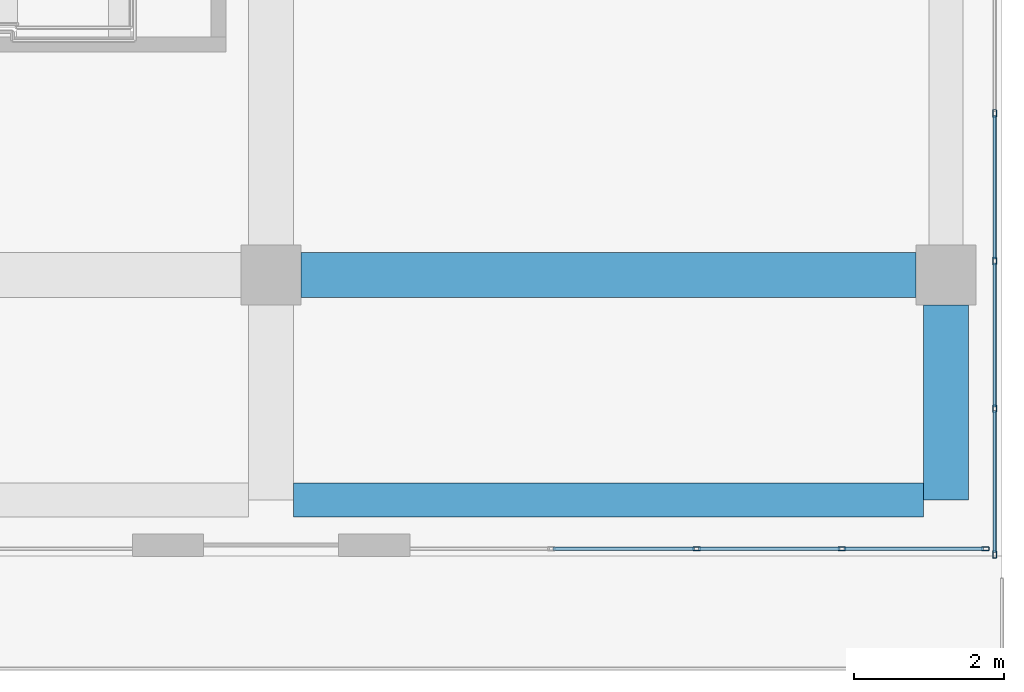
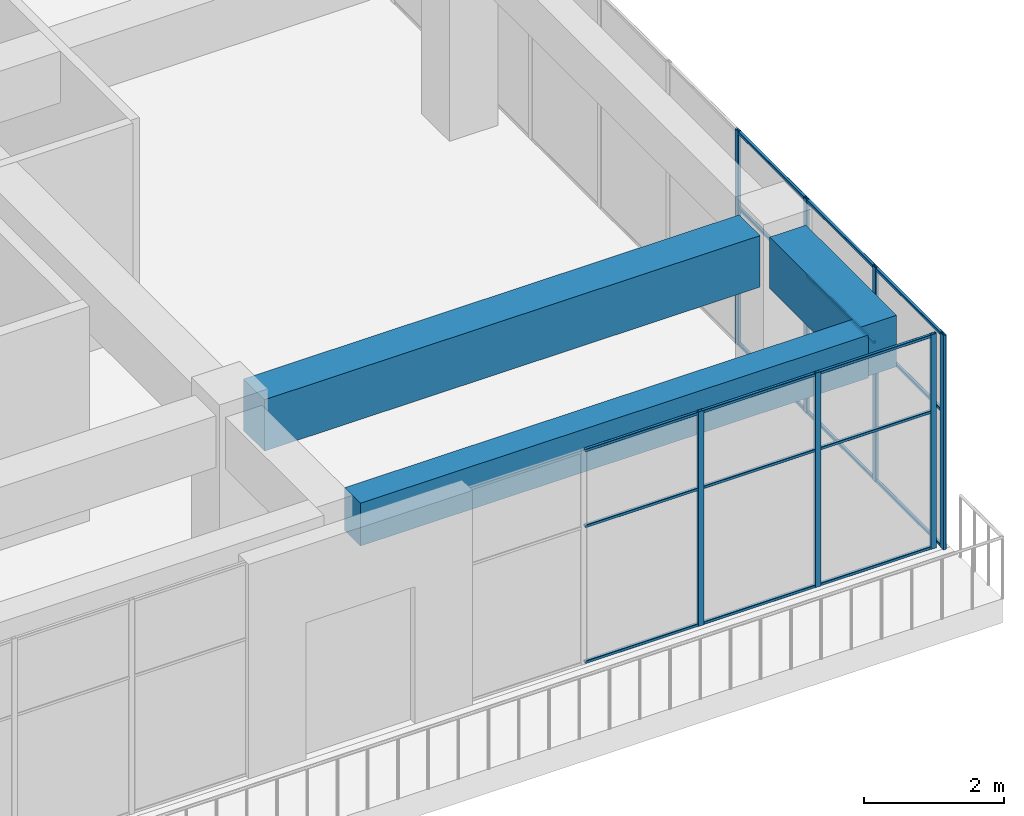
# One storey, part 53 of 81: 25 members, 3 beams, 2 elements without a shape of their own.
"""IFC4 building model written with IfcOpenShell, lengths in metres."""

from ifc_helpers import new_model, si_unit, direction, frame, origin, origin_2d, place, context, subcontext, project, spatial, rectangle, hollow_rectangle, extrude, material, layer, layer_set, material_profile, profile_set, type_object, element, aggregate, save


model = new_model("IFC4")

# Units and contexts
model_context = context("Model", 3, precision=1e-05, world=origin(), true_north=direction((0.0, 1.0)))
body_context = subcontext(model_context, "Body", "Model", "MODEL_VIEW")
ifc_project = project(units=[si_unit("LENGTHUNIT", "METRE"), si_unit("AREAUNIT", "SQUARE_METRE"), si_unit("VOLUMEUNIT", "CUBIC_METRE"), si_unit("PLANEANGLEUNIT", "RADIAN"), si_unit("MASSUNIT", "GRAM", prefix="KILO")], contexts=[model_context])

# Site, building, storey
site_placement = place(None, origin())
site = spatial("IfcSite", under=ifc_project, at=site_placement, CompositionType="ELEMENT")
building_placement = place(site_placement, origin())
building = spatial("IfcBuilding", under=site, at=building_placement, Name="Tuart Plaza Theatre", CompositionType="ELEMENT")
storey_placement = place(building_placement, frame((0.0, 0.0, 17.5)))
storey = spatial("IfcBuildingStorey", under=building, at=storey_placement, Name="L04", CompositionType="ELEMENT", Elevation=17.5)

# Beams
ifc_material_1 = material(Name="Concrete N40 (40 MPa)", Category="concrete")
ifc_material_profile_1 = material_profile(ifc_material_1, rectangle(XDim=0.449951171875, YDim=0.75, at=origin_2d()), Name="BEAM 450x750 Concrete N40 (40 MPa)")
ifc_profile_set_1 = profile_set([ifc_material_profile_1], Name="Concrete N40 (40 MPa)")
beam_type_1 = type_object("IfcBeamType", Name="BEAM 450x750 Concrete N40 (40 MPa)", PredefinedType="BEAM", material=ifc_profile_set_1)
beam_1_placement = place(storey_placement, frame((141.300048828125, 53.0, 3.375), z_axis=(1.0, 0.0, 0.0), x_axis=(0.0, 1.0, 0.0)))
element("IfcBeam", 1, at=beam_1_placement, inside=storey, type_object=beam_type_1, Name="RB229", PredefinedType="BEAM", context=body_context, shape_type="SweptSolid", body=[
    extrude(rectangle(XDim=0.449951171875, YDim=0.75, at=origin_2d()), origin(), (0.0, 0.0, 1.0), 8.39990234375),
])
ifc_material_2 = material(Name="Concrete N40 (40 MPa)", Category="concrete")
ifc_material_profile_2 = material_profile(ifc_material_2, rectangle(XDim=0.60009765625, YDim=0.89990234375, at=origin_2d()), Name="BEAM 600x900 Concrete N40 (40 MPa)")
ifc_profile_set_2 = profile_set([ifc_material_profile_2], Name="Concrete N40 (40 MPa)")
beam_type_2 = type_object("IfcBeamType", Name="BEAM 600x900 Concrete N40 (40 MPa)", PredefinedType="BEAM", material=ifc_profile_set_2)
beam_2_placement = place(storey_placement, frame((141.39990234375, 56.0, 3.300048828125), z_axis=(1.0, 0.0, 0.0), x_axis=(0.0, 1.0, 0.0)))
element("IfcBeam", 2, at=beam_2_placement, inside=storey, type_object=beam_type_2, Name="RB231", PredefinedType="BEAM", context=body_context, shape_type="SweptSolid", body=[
    extrude(rectangle(XDim=0.60009765625, YDim=0.89990234375, at=origin_2d()), origin(), (0.0, 0.0, 1.0), 8.2001953125),
])
beam_3_placement = place(storey_placement, frame((150.0, 53.0, 3.300048828125), z_axis=(0.0, 1.0, 0.0), x_axis=(-1.0, 0.0, 0.0)))
element("IfcBeam", 3, at=beam_3_placement, inside=storey, type_object=beam_type_2, Name="RB237", PredefinedType="BEAM", context=body_context, shape_type="SweptSolid", body=[
    extrude(rectangle(XDim=0.60009765625, YDim=0.89990234375, at=origin_2d()), origin(), (0.0, 0.0, 1.0), 2.60009765625),
])

# Curtain wall, members
ifc_material_3 = material(Name="Aluminium and glass", Category="aluminium")
ifc_layer = layer(ifc_material_3, 0.10009765625)
ifc_layer_set = layer_set([ifc_layer], Name="CURTAIN WALL 2000 module")
curtain_wall_type = type_object("IfcCurtainWallType", Name="CURTAIN WALL 2000 module", PredefinedType="NOTDEFINED", material=ifc_layer_set)
curtain_wall_1_placement = place(storey_placement, origin())
curtain_wall_1 = element("IfcCurtainWall", 4, at=curtain_wall_1_placement, inside=storey, type_object=curtain_wall_type, Name="CW77", PredefinedType="NOTDEFINED")
ifc_material_4 = material(Name="Aluminium 6063-T5", Category="aluminium")
ifc_material_profile_3 = material_profile(ifc_material_4, hollow_rectangle(XDim=0.050048828125, YDim=0.10009765625, WallThickness=0.00390625, InnerFilletRadius=0.00390625, OuterFilletRadius=0.008056640625, at=origin_2d()), Name="RHS 100x50x4")
ifc_profile_set_3 = profile_set([ifc_material_profile_3], Name="Aluminium 6063-T5")
member_type_1 = type_object("IfcMemberType", Name="MULLION RHS 100x50x4", PredefinedType="MULLION", material=ifc_profile_set_3)
member_1_placement = place(storey_placement, frame((146.675048828125, 52.35009765625, 0.0), z_axis=(0.0, 0.0, 1.0), x_axis=(0.0, 1.0, 0.0)))
member_1 = element("IfcMember", 5, at=member_1_placement, type_object=member_type_1, Name="CW77 mullion 3", PredefinedType="MULLION", context=body_context, shape_type="SweptSolid", body=[
    extrude(hollow_rectangle(XDim=0.050048828125, YDim=0.10009765625, WallThickness=0.00390625, InnerFilletRadius=0.00390625, OuterFilletRadius=0.008056640625, at=origin_2d()), origin(), (0.0, 0.0, 1.0), 3.75),
])
member_2_placement = place(storey_placement, frame((148.612548828125, 52.35009765625, 0.0), z_axis=(0.0, 0.0, 1.0), x_axis=(0.0, 1.0, 0.0)))
member_2 = element("IfcMember", 6, at=member_2_placement, type_object=member_type_1, Name="CW77 mullion 4", PredefinedType="MULLION", context=body_context, shape_type="SweptSolid", body=[
    extrude(hollow_rectangle(XDim=0.050048828125, YDim=0.10009765625, WallThickness=0.00390625, InnerFilletRadius=0.00390625, OuterFilletRadius=0.008056640625, at=origin_2d()), origin(), (0.0, 0.0, 1.0), 3.75),
])
member_3_placement = place(storey_placement, frame((150.52490234375, 52.35009765625, 0.0), z_axis=(0.0, 0.0, 1.0), x_axis=(0.0, 1.0, 0.0)))
member_3 = element("IfcMember", 7, at=member_3_placement, type_object=member_type_1, Name="CW77 mullion 5", PredefinedType="MULLION", context=body_context, shape_type="SweptSolid", body=[
    extrude(hollow_rectangle(XDim=0.050048828125, YDim=0.10009765625, WallThickness=0.00390625, InnerFilletRadius=0.00390625, OuterFilletRadius=0.008056640625, at=origin_2d()), origin(), (0.0, 0.0, 1.0), 3.75),
])

curtain_wall_2_placement = place(storey_placement, origin())
curtain_wall_2 = element("IfcCurtainWall", 8, at=curtain_wall_2_placement, inside=storey, type_object=curtain_wall_type, Name="CW78", PredefinedType="NOTDEFINED")
member_4_placement = place(storey_placement, frame((150.64990234375, 52.27490234375, 0.0), z_axis=(0.0, 0.0, 1.0), x_axis=(-1.0, 0.0, 0.0)))
member_4 = element("IfcMember", 9, at=member_4_placement, type_object=member_type_1, Name="CW78 mullion 1", PredefinedType="MULLION", context=body_context, shape_type="SweptSolid", body=[
    extrude(hollow_rectangle(XDim=0.050048828125, YDim=0.10009765625, WallThickness=0.00390625, InnerFilletRadius=0.00390625, OuterFilletRadius=0.008056640625, at=origin_2d()), origin(), (0.0, 0.0, 1.0), 3.75),
])
member_5_placement = place(storey_placement, frame((150.64990234375, 54.21875, 0.0), z_axis=(0.0, 0.0, 1.0), x_axis=(-1.0, 0.0, 0.0)))
member_5 = element("IfcMember", 10, at=member_5_placement, type_object=member_type_1, Name="CW78 mullion 2", PredefinedType="MULLION", context=body_context, shape_type="SweptSolid", body=[
    extrude(hollow_rectangle(XDim=0.050048828125, YDim=0.10009765625, WallThickness=0.00390625, InnerFilletRadius=0.00390625, OuterFilletRadius=0.008056640625, at=origin_2d()), origin(), (0.0, 0.0, 1.0), 3.75),
])
member_6_placement = place(storey_placement, frame((150.64990234375, 56.1875, 0.0), z_axis=(0.0, 0.0, 1.0), x_axis=(-1.0, 0.0, 0.0)))
member_6 = element("IfcMember", 11, at=member_6_placement, type_object=member_type_1, Name="CW78 mullion 3", PredefinedType="MULLION", context=body_context, shape_type="SweptSolid", body=[
    extrude(hollow_rectangle(XDim=0.050048828125, YDim=0.10009765625, WallThickness=0.00390625, InnerFilletRadius=0.00390625, OuterFilletRadius=0.008056640625, at=origin_2d()), origin(), (0.0, 0.0, 1.0), 3.75),
])
member_7_placement = place(storey_placement, frame((150.64990234375, 58.15625, 0.0), z_axis=(0.0, 0.0, 1.0), x_axis=(-1.0, 0.0, 0.0)))
member_7 = element("IfcMember", 12, at=member_7_placement, type_object=member_type_1, Name="CW78 mullion 4", PredefinedType="MULLION", context=body_context, shape_type="SweptSolid", body=[
    extrude(hollow_rectangle(XDim=0.050048828125, YDim=0.10009765625, WallThickness=0.00390625, InnerFilletRadius=0.00390625, OuterFilletRadius=0.008056640625, at=origin_2d()), origin(), (0.0, 0.0, 1.0), 3.75),
])

# Member
ifc_material_5 = material(Name="Aluminium 6063-T5", Category="aluminium")
ifc_material_profile_4 = material_profile(ifc_material_5, hollow_rectangle(XDim=0.050048828125, YDim=0.050048828125, WallThickness=0.00390625, InnerFilletRadius=0.00390625, OuterFilletRadius=0.008056640625, at=origin_2d()), Name="RHS 50x50x4")
ifc_profile_set_4 = profile_set([ifc_material_profile_4], Name="Aluminium 6063-T5")
member_type_2 = type_object("IfcMemberType", Name="TRANSOM RHS 50x50x4", PredefinedType="USERDEFINED", material=ifc_profile_set_4)
member_8_placement = place(storey_placement, frame((144.762451171875, 52.35009765625, 0.02490234375), z_axis=(1.0, 0.0, 0.0), x_axis=(0.0, 1.0, 0.0)))
member_8 = element("IfcMember", 13, at=member_8_placement, type_object=member_type_2, Name="CW77 transom 2.1", ObjectType="TRANSOM", PredefinedType="USERDEFINED", context=body_context, shape_type="SweptSolid", body=[
    extrude(hollow_rectangle(XDim=0.050048828125, YDim=0.050048828125, WallThickness=0.00390625, InnerFilletRadius=0.00390625, OuterFilletRadius=0.008056640625, at=origin_2d()), origin(), (0.0, 0.0, 1.0), 1.887451171875),
])

member_9_placement = place(storey_placement, frame((144.762451171875, 52.35009765625, 2.39990234375), z_axis=(1.0, 0.0, 0.0), x_axis=(0.0, 1.0, 0.0)))
member_9 = element("IfcMember", 14, at=member_9_placement, type_object=member_type_2, Name="CW77 transom 2.2", ObjectType="TRANSOM", PredefinedType="USERDEFINED", context=body_context, shape_type="SweptSolid", body=[
    extrude(hollow_rectangle(XDim=0.050048828125, YDim=0.050048828125, WallThickness=0.00390625, InnerFilletRadius=0.00390625, OuterFilletRadius=0.008056640625, at=origin_2d()), origin(), (0.0, 0.0, 1.0), 1.887451171875),
])

member_10_placement = place(storey_placement, frame((144.762451171875, 52.35009765625, 3.72509765625), z_axis=(1.0, 0.0, 0.0), x_axis=(0.0, 1.0, 0.0)))
member_10 = element("IfcMember", 15, at=member_10_placement, type_object=member_type_2, Name="CW77 transom 2.3", ObjectType="TRANSOM", PredefinedType="USERDEFINED", context=body_context, shape_type="SweptSolid", body=[
    extrude(hollow_rectangle(XDim=0.050048828125, YDim=0.050048828125, WallThickness=0.00390625, InnerFilletRadius=0.00390625, OuterFilletRadius=0.008056640625, at=origin_2d()), origin(), (0.0, 0.0, 1.0), 1.887451171875),
])

member_11_placement = place(storey_placement, frame((146.699951171875, 52.35009765625, 0.02490234375), z_axis=(1.0, 0.0, 0.0), x_axis=(0.0, 1.0, 0.0)))
member_11 = element("IfcMember", 16, at=member_11_placement, type_object=member_type_2, Name="CW77 transom 3.1", ObjectType="TRANSOM", PredefinedType="USERDEFINED", context=body_context, shape_type="SweptSolid", body=[
    extrude(hollow_rectangle(XDim=0.050048828125, YDim=0.050048828125, WallThickness=0.00390625, InnerFilletRadius=0.00390625, OuterFilletRadius=0.008056640625, at=origin_2d()), origin(), (0.0, 0.0, 1.0), 1.887451171875),
])

member_12_placement = place(storey_placement, frame((146.699951171875, 52.35009765625, 2.39990234375), z_axis=(1.0, 0.0, 0.0), x_axis=(0.0, 1.0, 0.0)))
member_12 = element("IfcMember", 17, at=member_12_placement, type_object=member_type_2, Name="CW77 transom 3.2", ObjectType="TRANSOM", PredefinedType="USERDEFINED", context=body_context, shape_type="SweptSolid", body=[
    extrude(hollow_rectangle(XDim=0.050048828125, YDim=0.050048828125, WallThickness=0.00390625, InnerFilletRadius=0.00390625, OuterFilletRadius=0.008056640625, at=origin_2d()), origin(), (0.0, 0.0, 1.0), 1.887451171875),
])

member_13_placement = place(storey_placement, frame((146.699951171875, 52.35009765625, 3.72509765625), z_axis=(1.0, 0.0, 0.0), x_axis=(0.0, 1.0, 0.0)))
member_13 = element("IfcMember", 18, at=member_13_placement, type_object=member_type_2, Name="CW77 transom 3.3", ObjectType="TRANSOM", PredefinedType="USERDEFINED", context=body_context, shape_type="SweptSolid", body=[
    extrude(hollow_rectangle(XDim=0.050048828125, YDim=0.050048828125, WallThickness=0.00390625, InnerFilletRadius=0.00390625, OuterFilletRadius=0.008056640625, at=origin_2d()), origin(), (0.0, 0.0, 1.0), 1.887451171875),
])

member_14_placement = place(storey_placement, frame((148.637451171875, 52.35009765625, 0.02490234375), z_axis=(1.0, 0.0, 0.0), x_axis=(0.0, 1.0, 0.0)))
member_14 = element("IfcMember", 19, at=member_14_placement, type_object=member_type_2, Name="CW77 transom 4.1", ObjectType="TRANSOM", PredefinedType="USERDEFINED", context=body_context, shape_type="SweptSolid", body=[
    extrude(hollow_rectangle(XDim=0.050048828125, YDim=0.050048828125, WallThickness=0.00390625, InnerFilletRadius=0.00390625, OuterFilletRadius=0.008056640625, at=origin_2d()), origin(), (0.0, 0.0, 1.0), 1.862548828125),
])

member_15_placement = place(storey_placement, frame((148.637451171875, 52.35009765625, 2.39990234375), z_axis=(1.0, 0.0, 0.0), x_axis=(0.0, 1.0, 0.0)))
member_15 = element("IfcMember", 20, at=member_15_placement, type_object=member_type_2, Name="CW77 transom 4.2", ObjectType="TRANSOM", PredefinedType="USERDEFINED", context=body_context, shape_type="SweptSolid", body=[
    extrude(hollow_rectangle(XDim=0.050048828125, YDim=0.050048828125, WallThickness=0.00390625, InnerFilletRadius=0.00390625, OuterFilletRadius=0.008056640625, at=origin_2d()), origin(), (0.0, 0.0, 1.0), 1.862548828125),
])

member_16_placement = place(storey_placement, frame((148.637451171875, 52.35009765625, 3.72509765625), z_axis=(1.0, 0.0, 0.0), x_axis=(0.0, 1.0, 0.0)))
member_16 = element("IfcMember", 21, at=member_16_placement, type_object=member_type_2, Name="CW77 transom 4.3", ObjectType="TRANSOM", PredefinedType="USERDEFINED", context=body_context, shape_type="SweptSolid", body=[
    extrude(hollow_rectangle(XDim=0.050048828125, YDim=0.050048828125, WallThickness=0.00390625, InnerFilletRadius=0.00390625, OuterFilletRadius=0.008056640625, at=origin_2d()), origin(), (0.0, 0.0, 1.0), 1.862548828125),
])

aggregate(curtain_wall_1, [member_1, member_2, member_3, member_8, member_9, member_10, member_11, member_12, member_13, member_14, member_15, member_16])

member_17_placement = place(storey_placement, frame((150.64990234375, 52.300048828125, 0.02490234375), z_axis=(0.0, 1.0, 0.0), x_axis=(-1.0, 0.0, 0.0)))
member_17 = element("IfcMember", 22, at=member_17_placement, type_object=member_type_2, Name="CW78 transom 1.1", ObjectType="TRANSOM", PredefinedType="USERDEFINED", context=body_context, shape_type="SweptSolid", body=[
    extrude(hollow_rectangle(XDim=0.050048828125, YDim=0.050048828125, WallThickness=0.00390625, InnerFilletRadius=0.00390625, OuterFilletRadius=0.008056640625, at=origin_2d()), origin(), (0.0, 0.0, 1.0), 1.893798828125),
])

member_18_placement = place(storey_placement, frame((150.64990234375, 52.300048828125, 2.39990234375), z_axis=(0.0, 1.0, 0.0), x_axis=(-1.0, 0.0, 0.0)))
member_18 = element("IfcMember", 23, at=member_18_placement, type_object=member_type_2, Name="CW78 transom 1.2", ObjectType="TRANSOM", PredefinedType="USERDEFINED", context=body_context, shape_type="SweptSolid", body=[
    extrude(hollow_rectangle(XDim=0.050048828125, YDim=0.050048828125, WallThickness=0.00390625, InnerFilletRadius=0.00390625, OuterFilletRadius=0.008056640625, at=origin_2d()), origin(), (0.0, 0.0, 1.0), 1.893798828125),
])

member_19_placement = place(storey_placement, frame((150.64990234375, 52.300048828125, 3.72509765625), z_axis=(0.0, 1.0, 0.0), x_axis=(-1.0, 0.0, 0.0)))
member_19 = element("IfcMember", 24, at=member_19_placement, type_object=member_type_2, Name="CW78 transom 1.3", ObjectType="TRANSOM", PredefinedType="USERDEFINED", context=body_context, shape_type="SweptSolid", body=[
    extrude(hollow_rectangle(XDim=0.050048828125, YDim=0.050048828125, WallThickness=0.00390625, InnerFilletRadius=0.00390625, OuterFilletRadius=0.008056640625, at=origin_2d()), origin(), (0.0, 0.0, 1.0), 1.893798828125),
])

member_20_placement = place(storey_placement, frame((150.64990234375, 54.24365234375, 0.02490234375), z_axis=(0.0, 1.0, 0.0), x_axis=(-1.0, 0.0, 0.0)))
member_20 = element("IfcMember", 25, at=member_20_placement, type_object=member_type_2, Name="CW78 transom 2.1", ObjectType="TRANSOM", PredefinedType="USERDEFINED", context=body_context, shape_type="SweptSolid", body=[
    extrude(hollow_rectangle(XDim=0.050048828125, YDim=0.050048828125, WallThickness=0.00390625, InnerFilletRadius=0.00390625, OuterFilletRadius=0.008056640625, at=origin_2d()), origin(), (0.0, 0.0, 1.0), 1.9189453125),
])

member_21_placement = place(storey_placement, frame((150.64990234375, 54.24365234375, 2.39990234375), z_axis=(0.0, 1.0, 0.0), x_axis=(-1.0, 0.0, 0.0)))
member_21 = element("IfcMember", 26, at=member_21_placement, type_object=member_type_2, Name="CW78 transom 2.2", ObjectType="TRANSOM", PredefinedType="USERDEFINED", context=body_context, shape_type="SweptSolid", body=[
    extrude(hollow_rectangle(XDim=0.050048828125, YDim=0.050048828125, WallThickness=0.00390625, InnerFilletRadius=0.00390625, OuterFilletRadius=0.008056640625, at=origin_2d()), origin(), (0.0, 0.0, 1.0), 1.9189453125),
])

member_22_placement = place(storey_placement, frame((150.64990234375, 54.24365234375, 3.72509765625), z_axis=(0.0, 1.0, 0.0), x_axis=(-1.0, 0.0, 0.0)))
member_22 = element("IfcMember", 27, at=member_22_placement, type_object=member_type_2, Name="CW78 transom 2.3", ObjectType="TRANSOM", PredefinedType="USERDEFINED", context=body_context, shape_type="SweptSolid", body=[
    extrude(hollow_rectangle(XDim=0.050048828125, YDim=0.050048828125, WallThickness=0.00390625, InnerFilletRadius=0.00390625, OuterFilletRadius=0.008056640625, at=origin_2d()), origin(), (0.0, 0.0, 1.0), 1.9189453125),
])

member_23_placement = place(storey_placement, frame((150.64990234375, 56.21240234375, 0.02490234375), z_axis=(0.0, 1.0, 0.0), x_axis=(-1.0, 0.0, 0.0)))
member_23 = element("IfcMember", 28, at=member_23_placement, type_object=member_type_2, Name="CW78 transom 3.1", ObjectType="TRANSOM", PredefinedType="USERDEFINED", context=body_context, shape_type="SweptSolid", body=[
    extrude(hollow_rectangle(XDim=0.050048828125, YDim=0.050048828125, WallThickness=0.00390625, InnerFilletRadius=0.00390625, OuterFilletRadius=0.008056640625, at=origin_2d()), origin(), (0.0, 0.0, 1.0), 1.9189453125),
])

member_24_placement = place(storey_placement, frame((150.64990234375, 56.21240234375, 2.39990234375), z_axis=(0.0, 1.0, 0.0), x_axis=(-1.0, 0.0, 0.0)))
member_24 = element("IfcMember", 29, at=member_24_placement, type_object=member_type_2, Name="CW78 transom 3.2", ObjectType="TRANSOM", PredefinedType="USERDEFINED", context=body_context, shape_type="SweptSolid", body=[
    extrude(hollow_rectangle(XDim=0.050048828125, YDim=0.050048828125, WallThickness=0.00390625, InnerFilletRadius=0.00390625, OuterFilletRadius=0.008056640625, at=origin_2d()), origin(), (0.0, 0.0, 1.0), 1.9189453125),
])

member_25_placement = place(storey_placement, frame((150.64990234375, 56.21240234375, 3.72509765625), z_axis=(0.0, 1.0, 0.0), x_axis=(-1.0, 0.0, 0.0)))
member_25 = element("IfcMember", 30, at=member_25_placement, type_object=member_type_2, Name="CW78 transom 3.3", ObjectType="TRANSOM", PredefinedType="USERDEFINED", context=body_context, shape_type="SweptSolid", body=[
    extrude(hollow_rectangle(XDim=0.050048828125, YDim=0.050048828125, WallThickness=0.00390625, InnerFilletRadius=0.00390625, OuterFilletRadius=0.008056640625, at=origin_2d()), origin(), (0.0, 0.0, 1.0), 1.9189453125),
])

aggregate(curtain_wall_2, [member_4, member_5, member_6, member_7, member_17, member_18, member_19, member_20, member_21, member_22, member_23, member_24, member_25])

save(model, "model.ifc")
